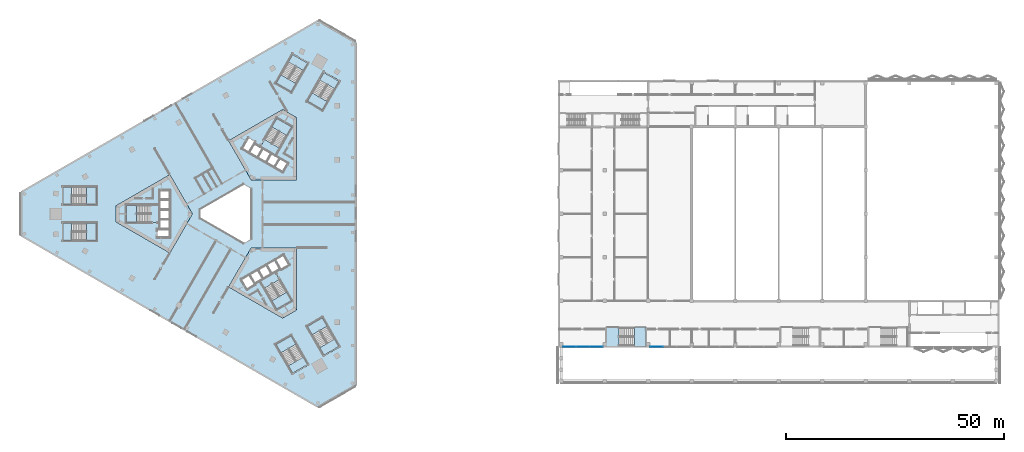
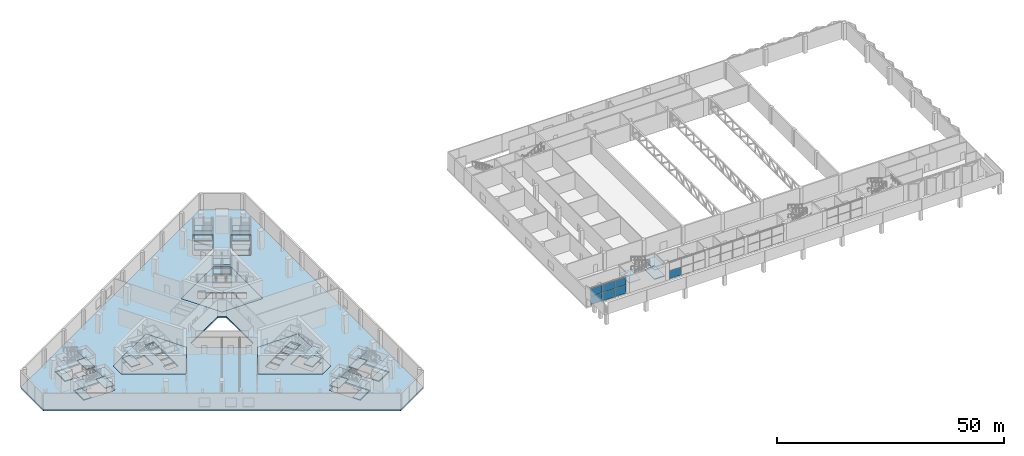
# One storey, part 8 of 36: 40 slabs, 7 plates, 12 elements without a shape of their own.
"""IFC4 building model written with IfcOpenShell, lengths in metres."""

from ifc_helpers import new_model, si_unit, direction, frame, origin, origin_2d, place, context, subcontext, project, spatial, polyline, rectangle, outline, extrude, material, layer, layer_set, type_object, element, aggregate, save


model = new_model("IFC4")

# Units and contexts
model_context = context("Model", 3, precision=1e-05, world=origin(), true_north=direction((0.0, 1.0)))
body_context = subcontext(model_context, "Body", "Model", "MODEL_VIEW")
ifc_project = project(units=[si_unit("LENGTHUNIT", "METRE"), si_unit("AREAUNIT", "SQUARE_METRE"), si_unit("VOLUMEUNIT", "CUBIC_METRE"), si_unit("PLANEANGLEUNIT", "RADIAN"), si_unit("MASSUNIT", "GRAM", prefix="KILO")], contexts=[model_context])

# Site, building, storey
site_placement = place(None, origin())
site = spatial("IfcSite", under=ifc_project, at=site_placement, CompositionType="ELEMENT")
building_placement = place(site_placement, origin())
building = spatial("IfcBuilding", under=site, at=building_placement, Name="Jabali Bay Hotel Tower and Convention Centre", CompositionType="ELEMENT")
storey_placement = place(building_placement, frame((0.0, 0.0, 20.39990234375)))
storey = spatial("IfcBuildingStorey", under=building, at=storey_placement, Name="L03", CompositionType="ELEMENT", Elevation=20.39990234375)

# Curtain wall, plates
ifc_material_1 = material(Name="Aluminium 6063-T5 and glass", Category="aluminium")
curtain_wall_type = type_object("IfcCurtainWallType", Name="CC CW5 Unitised Curtain Wall", PredefinedType="NOTDEFINED", material=ifc_material_1)
curtain_wall_1_placement = place(storey_placement, origin())
curtain_wall_1 = element("IfcCurtainWall", 1, at=curtain_wall_1_placement, inside=storey, type_object=curtain_wall_type, Name="CC CW5 run 6", PredefinedType="NOTDEFINED")
ifc_material_2 = material(Name="Glass IGU 28", Category="glass")
ifc_layer_1 = layer(ifc_material_2, 0.028076171875)
ifc_layer_set_1 = layer_set([ifc_layer_1], Name="Glass IGU 28")
plate_type = type_object("IfcPlateType", Name="CC Curtain Wall Glass Panel 28", PredefinedType="CURTAIN_PANEL", material=ifc_layer_set_1)
plate_1_placement = place(storey_placement, frame((152.6484375, 49.449951171875, 0.1201171875), z_axis=(0.0, 0.0, 1.0), x_axis=(1.0, 0.0, 0.0)))
plate_1 = element("IfcPlate", 2, at=plate_1_placement, type_object=plate_type, Name="CC-CW5 panel 1.1", PredefinedType="CURTAIN_PANEL", context=body_context, shape_type="SweptSolid", body=[
    extrude(rectangle(XDim=2.9765625, YDim=0.028076171875, at=origin_2d()), origin(), (0.0, 0.0, 1.0), 2.1201171875),
])
plate_2_placement = place(storey_placement, frame((152.6484375, 49.449951171875, 2.35986328125), z_axis=(0.0, 0.0, 1.0), x_axis=(1.0, 0.0, 0.0)))
plate_2 = element("IfcPlate", 3, at=plate_2_placement, type_object=plate_type, Name="CC-CW5 panel 1.2", PredefinedType="CURTAIN_PANEL", context=body_context, shape_type="SweptSolid", body=[
    extrude(rectangle(XDim=2.9765625, YDim=0.028076171875, at=origin_2d()), origin(), (0.0, 0.0, 1.0), 2.110107421875),
])
plate_3_placement = place(storey_placement, frame((155.699951171875, 49.449951171875, 0.1201171875), z_axis=(0.0, 0.0, 1.0), x_axis=(1.0, 0.0, 0.0)))
plate_3 = element("IfcPlate", 4, at=plate_3_placement, type_object=plate_type, Name="CC-CW5 panel 2.1", PredefinedType="CURTAIN_PANEL", context=body_context, shape_type="SweptSolid", body=[
    extrude(rectangle(XDim=3.006591796875, YDim=0.028076171875, at=origin_2d()), origin(), (0.0, 0.0, 1.0), 2.1201171875),
])
plate_4_placement = place(storey_placement, frame((155.699951171875, 49.449951171875, 2.35986328125), z_axis=(0.0, 0.0, 1.0), x_axis=(1.0, 0.0, 0.0)))
plate_4 = element("IfcPlate", 5, at=plate_4_placement, type_object=plate_type, Name="CC-CW5 panel 2.2", PredefinedType="CURTAIN_PANEL", context=body_context, shape_type="SweptSolid", body=[
    extrude(rectangle(XDim=3.006591796875, YDim=0.028076171875, at=origin_2d()), origin(), (0.0, 0.0, 1.0), 2.110107421875),
])
plate_5_placement = place(storey_placement, frame((158.751708984375, 49.449951171875, 0.1201171875), z_axis=(0.0, 0.0, 1.0), x_axis=(1.0, 0.0, 0.0)))
plate_5 = element("IfcPlate", 6, at=plate_5_placement, type_object=plate_type, Name="CC-CW5 panel 3.1", PredefinedType="CURTAIN_PANEL", context=body_context, shape_type="SweptSolid", body=[
    extrude(rectangle(XDim=2.9765625, YDim=0.028076171875, at=origin_2d()), origin(), (0.0, 0.0, 1.0), 2.1201171875),
])
plate_6_placement = place(storey_placement, frame((158.751708984375, 49.449951171875, 2.35986328125), z_axis=(0.0, 0.0, 1.0), x_axis=(1.0, 0.0, 0.0)))
plate_6 = element("IfcPlate", 7, at=plate_6_placement, type_object=plate_type, Name="CC-CW5 panel 3.2", PredefinedType="CURTAIN_PANEL", context=body_context, shape_type="SweptSolid", body=[
    extrude(rectangle(XDim=2.9765625, YDim=0.028076171875, at=origin_2d()), origin(), (0.0, 0.0, 1.0), 2.110107421875),
])
aggregate(curtain_wall_1, [plate_1, plate_2, plate_3, plate_4, plate_5, plate_6])

# Curtain wall, plate
curtain_wall_2_placement = place(storey_placement, origin())
curtain_wall_2 = element("IfcCurtainWall", 8, at=curtain_wall_2_placement, inside=storey, type_object=curtain_wall_type, Name="CC CW5 run 7", PredefinedType="NOTDEFINED")
plate_7_placement = place(storey_placement, frame((172.6484375, 49.449951171875, 0.1201171875), z_axis=(0.0, 0.0, 1.0), x_axis=(1.0, 0.0, 0.0)))
plate_7 = element("IfcPlate", 9, at=plate_7_placement, type_object=plate_type, Name="CC-CW5 panel 1.1", PredefinedType="CURTAIN_PANEL", context=body_context, shape_type="SweptSolid", body=[
    extrude(rectangle(XDim=2.9765625, YDim=0.028076171875, at=origin_2d()), origin(), (0.0, 0.0, 1.0), 2.1201171875),
])
aggregate(curtain_wall_2, [plate_7])

# Stair, slabs
ifc_material_3 = material(Name="Concrete C40", Category="concrete")
stair_type_1 = type_object("IfcStairType", Name="CC Dogleg Stair 1350", PredefinedType="HALF_TURN_STAIR", material=ifc_material_3)
stair_1_placement = place(storey_placement, origin())
stair_1 = element("IfcStair", 10, at=stair_1_placement, inside=storey, type_object=stair_type_1, Name="L03 South Exit Stair 1", PredefinedType="HALF_TURN_STAIR")
ifc_layer_2 = layer(ifc_material_3, 0.199951171875)
ifc_layer_set_2 = layer_set([ifc_layer_2], Name="Concrete C40")
slab_type_1 = type_object("IfcSlabType", Name="CC Stair Landing 200", PredefinedType="LANDING", material=ifc_layer_set_2)
slab_1_placement = place(storey_placement, frame((0.0, 0.0, 1.050048828125)))
slab_1 = element("IfcSlab", 11, at=slab_1_placement, type_object=slab_type_1, Name="CC-STS1 landing 1", PredefinedType="LANDING", context=body_context, shape_type="SweptSolid", body=[
    extrude(outline(polyline([(167.51708984375, 49.550048828125), (170.14990234375, 49.550048828125), (170.14990234375, 53.949951171875), (167.51708984375, 53.949951171875), (167.51708984375, 49.550048828125)])), origin(), (0.0, 0.0, 1.0), 0.199951171875),
])
slab_2_placement = place(storey_placement, frame((0.0, 0.0, 2.300048828125)))
slab_2 = element("IfcSlab", 12, at=slab_2_placement, type_object=slab_type_1, Name="CC-STS1 landing 2", PredefinedType="LANDING", context=body_context, shape_type="SweptSolid", body=[
    extrude(outline(polyline([(161.050048828125, 49.550048828125), (164.0029296875, 49.550048828125), (164.0029296875, 53.949951171875), (161.050048828125, 53.949951171875), (161.050048828125, 49.550048828125)])), origin(), (0.0, 0.0, 1.0), 0.199951171875),
])
slab_3_placement = place(storey_placement, frame((0.0, 0.0, 3.550048828125)))
slab_3 = element("IfcSlab", 13, at=slab_3_placement, type_object=slab_type_1, Name="CC-STS1 landing 3", PredefinedType="LANDING", context=body_context, shape_type="SweptSolid", body=[
    extrude(outline(polyline([(167.51708984375, 49.550048828125), (170.14990234375, 49.550048828125), (170.14990234375, 53.949951171875), (167.51708984375, 53.949951171875), (167.51708984375, 49.550048828125)])), origin(), (0.0, 0.0, 1.0), 0.199951171875),
])
aggregate(stair_1, [slab_1, slab_2, slab_3])

# Slabs
ifc_layer_3 = layer(ifc_material_3, 0.39990234375)
ifc_layer_set_3 = layer_set([ifc_layer_3], Name="Concrete C40")
slab_type_2 = type_object("IfcSlabType", Name="Core floor slab 400", PredefinedType="FLOOR", material=ifc_layer_set_3)
slab_4_placement = place(storey_placement, frame((0.0, 0.0, -0.39990234375)))
element("IfcSlab", 14, at=slab_4_placement, inside=storey, type_object=slab_type_2, Name="Core floor slab 1 L03", PredefinedType="FLOOR", context=body_context, shape_type="SweptSolid", body=[
    extrude(outline(polyline([(66.0, 80.0), (60.81005859375, 88.9892578125), (48.39697265625, 81.82275390625), (48.39697265625, 78.17724609375), (60.81005859375, 71.0107421875), (66.0, 80.0)]), holes=[polyline([(60.800048828125, 74.64990234375), (60.800048828125, 76.35009765625), (57.949951171875, 76.35009765625), (57.949951171875, 74.64990234375), (60.800048828125, 74.64990234375)]), polyline([(58.52001953125, 76.550048828125), (60.800048828125, 76.550048828125), (60.800048828125, 78.60009765625), (58.52001953125, 78.60009765625), (58.52001953125, 76.550048828125)]), polyline([(58.52001953125, 78.800048828125), (60.800048828125, 78.800048828125), (60.800048828125, 80.85009765625), (58.52001953125, 80.85009765625), (58.52001953125, 78.800048828125)]), polyline([(56.409912109375, 81.97509765625), (50.820068359375, 81.97509765625), (50.820068359375, 78.02490234375), (56.409912109375, 78.02490234375), (56.409912109375, 81.97509765625)]), polyline([(58.52001953125, 81.050048828125), (60.800048828125, 81.050048828125), (60.800048828125, 83.10009765625), (58.52001953125, 83.10009765625), (58.52001953125, 81.050048828125)]), polyline([(58.52001953125, 83.300048828125), (60.800048828125, 83.300048828125), (60.800048828125, 85.35009765625), (58.52001953125, 85.35009765625), (58.52001953125, 83.300048828125)])]), origin(), (0.0, 0.0, 1.0), 0.39990234375),
])
slab_5_placement = place(storey_placement, frame((0.0, 0.0, -0.39990234375)))
element("IfcSlab", 15, at=slab_5_placement, inside=storey, type_object=slab_type_2, Name="Core floor slab 2 L03", PredefinedType="FLOOR", context=body_context, shape_type="SweptSolid", body=[
    extrude(outline(polyline([(79.5, 87.794189453125), (89.8798828125, 87.794189453125), (89.8798828125, 102.127685546875), (86.72314453125, 103.9501953125), (74.31005859375, 96.78369140625), (79.5, 87.794189453125)]), holes=[polyline([(84.957763671875, 90.6474609375), (86.733154296875, 89.62255859375), (87.873291015625, 91.59716796875), (86.097900390625, 92.6220703125), (84.957763671875, 90.6474609375)]), polyline([(84.1494140625, 93.7470703125), (83.00927734375, 91.7724609375), (84.78466796875, 90.74755859375), (85.924560546875, 92.72216796875), (84.1494140625, 93.7470703125)]), polyline([(82.20068359375, 94.8720703125), (81.060791015625, 92.8974609375), (82.836181640625, 91.87255859375), (83.97607421875, 93.84716796875), (82.20068359375, 94.8720703125)]), polyline([(79.1123046875, 94.0224609375), (80.887451171875, 92.99755859375), (82.027587890625, 94.97216796875), (80.252197265625, 95.9970703125), (79.1123046875, 94.0224609375)]), polyline([(78.891845703125, 97.440673828125), (77.466796875, 94.97265625), (78.93896484375, 94.12255859375), (80.364013671875, 96.5908203125), (78.891845703125, 97.440673828125)]), polyline([(82.584716796875, 97.0869140625), (86.00537109375, 95.11181640625), (88.80029296875, 99.952880859375), (85.379638671875, 101.927978515625), (82.584716796875, 97.0869140625)])]), origin(), (0.0, 0.0, 1.0), 0.39990234375),
])
slab_6_placement = place(storey_placement, frame((0.0, 0.0, -0.39990234375)))
element("IfcSlab", 16, at=slab_6_placement, inside=storey, type_object=slab_type_2, Name="Core floor slab 3 L03", PredefinedType="FLOOR", context=body_context, shape_type="SweptSolid", body=[
    extrude(outline(polyline([(79.5, 72.205810546875), (74.31005859375, 63.21630859375), (86.72314453125, 56.0498046875), (89.8798828125, 57.872314453125), (89.8798828125, 72.205810546875), (79.5, 72.205810546875)]), holes=[polyline([(82.584716796875, 62.9130859375), (85.379638671875, 58.072021484375), (88.80029296875, 60.047119140625), (86.00537109375, 64.88818359375), (82.584716796875, 62.9130859375)]), polyline([(80.365478515625, 63.756591796875), (79.090576171875, 65.96484375), (77.27197265625, 64.9150390625), (78.546875, 62.70654296875), (80.365478515625, 63.756591796875)]), polyline([(82.17919921875, 65.115478515625), (81.0390625, 67.08984375), (79.263671875, 66.06494140625), (80.40380859375, 64.09033203125), (82.17919921875, 65.115478515625)]), polyline([(82.98779296875, 68.21484375), (81.21240234375, 67.18994140625), (82.352294921875, 65.21533203125), (84.127685546875, 66.240478515625), (82.98779296875, 68.21484375)]), polyline([(86.076171875, 67.365478515625), (84.936279296875, 69.33984375), (83.160888671875, 68.31494140625), (84.30078125, 66.34033203125), (86.076171875, 67.365478515625)]), polyline([(88.203125, 68.281494140625), (86.927978515625, 70.489990234375), (85.109375, 69.43994140625), (86.384521484375, 67.231689453125), (88.203125, 68.281494140625)])]), origin(), (0.0, 0.0, 1.0), 0.39990234375),
])
slab_7_placement = place(storey_placement, frame((0.0, 0.0, -0.39990234375)))
element("IfcSlab", 17, at=slab_7_placement, inside=storey, type_object=slab_type_2, Name="Podium stair landing slab 1 L03", PredefinedType="FLOOR", context=body_context, shape_type="SweptSolid", body=[
    extrude(outline(polyline([(36.300048828125, 73.85009765625), (38.2529296875, 73.85009765625), (38.2529296875, 77.85009765625), (36.300048828125, 77.85009765625), (36.300048828125, 73.85009765625)])), origin(), (0.0, 0.0, 1.0), 0.39990234375),
])
slab_8_placement = place(storey_placement, frame((0.0, 0.0, -0.39990234375)))
element("IfcSlab", 18, at=slab_8_placement, inside=storey, type_object=slab_type_2, Name="Podium stair landing slab 2 L03", PredefinedType="FLOOR", context=body_context, shape_type="SweptSolid", body=[
    extrude(outline(polyline([(36.300048828125, 82.14990234375), (38.2529296875, 82.14990234375), (38.2529296875, 86.14990234375), (36.300048828125, 86.14990234375), (36.300048828125, 82.14990234375)])), origin(), (0.0, 0.0, 1.0), 0.39990234375),
])
slab_9_placement = place(storey_placement, frame((0.0, 0.0, -0.39990234375)))
element("IfcSlab", 19, at=slab_9_placement, inside=storey, type_object=slab_type_2, Name="Podium stair landing slab 3 L03", PredefinedType="FLOOR", context=body_context, shape_type="SweptSolid", body=[
    extrude(outline(polyline([(89.02392578125, 116.590087890625), (88.04736328125, 114.89892578125), (91.511474609375, 112.89892578125), (92.488037109375, 114.590087890625), (89.02392578125, 116.590087890625)])), origin(), (0.0, 0.0, 1.0), 0.39990234375),
])
slab_10_placement = place(storey_placement, frame((0.0, 0.0, -0.39990234375)))
element("IfcSlab", 20, at=slab_10_placement, inside=storey, type_object=slab_type_2, Name="Podium stair landing slab 4 L03", PredefinedType="FLOOR", context=body_context, shape_type="SweptSolid", body=[
    extrude(outline(polyline([(96.2119140625, 112.440185546875), (95.2353515625, 110.748779296875), (98.699462890625, 108.748779296875), (99.676025390625, 110.440185546875), (96.2119140625, 112.440185546875)])), origin(), (0.0, 0.0, 1.0), 0.39990234375),
])
slab_11_placement = place(storey_placement, frame((0.0, 0.0, -0.39990234375)))
element("IfcSlab", 21, at=slab_11_placement, inside=storey, type_object=slab_type_2, Name="Podium stair landing slab 5 L03", PredefinedType="FLOOR", context=body_context, shape_type="SweptSolid", body=[
    extrude(outline(polyline([(99.676025390625, 49.559814453125), (98.699462890625, 51.251220703125), (95.2353515625, 49.251220703125), (96.2119140625, 47.559814453125), (99.676025390625, 49.559814453125)])), origin(), (0.0, 0.0, 1.0), 0.39990234375),
])
slab_12_placement = place(storey_placement, frame((0.0, 0.0, -0.39990234375)))
element("IfcSlab", 22, at=slab_12_placement, inside=storey, type_object=slab_type_2, Name="Podium stair landing slab 6 L03", PredefinedType="FLOOR", context=body_context, shape_type="SweptSolid", body=[
    extrude(outline(polyline([(92.488037109375, 45.409912109375), (91.511474609375, 47.10107421875), (88.04736328125, 45.10107421875), (89.02392578125, 43.409912109375), (92.488037109375, 45.409912109375)])), origin(), (0.0, 0.0, 1.0), 0.39990234375),
])
ifc_layer_4 = layer(ifc_material_3, 0.39990234375)
ifc_layer_set_4 = layer_set([ifc_layer_4], Name="Concrete C40")
slab_type_3 = type_object("IfcSlabType", Name="Post-tensioned flat slab 400", PredefinedType="FLOOR", material=ifc_layer_set_4)
slab_13_placement = place(storey_placement, frame((0.0, 0.0, -0.39990234375)))
element("IfcSlab", 23, at=slab_13_placement, inside=storey, type_object=slab_type_3, Name="Floor slab L03", PredefinedType="FLOOR", context=body_context, shape_type="SweptSolid", body=[
    extrude(outline(polyline([(94.83984375, 124.363525390625), (103.5, 119.363525390625), (103.5, 40.636474609375), (94.83984375, 35.636474609375), (26.66015625, 75.0), (26.66015625, 85.0), (94.83984375, 124.363525390625)]), holes=[polyline([(67.73193359375, 79.0), (77.76806640625, 73.205810546875), (79.5, 74.205810546875), (79.5, 85.794189453125), (77.76806640625, 86.794189453125), (67.73193359375, 81.0), (67.73193359375, 79.0)]), polyline([(60.81005859375, 71.0107421875), (66.0, 80.0), (60.81005859375, 88.9892578125), (48.39697265625, 81.82275390625), (48.39697265625, 78.17724609375), (60.81005859375, 71.0107421875)]), polyline([(86.72314453125, 103.9501953125), (74.31005859375, 96.78369140625), (79.5, 87.794189453125), (89.8798828125, 87.794189453125), (89.8798828125, 102.127685546875), (86.72314453125, 103.9501953125)]), polyline([(86.72314453125, 56.0498046875), (89.8798828125, 57.872314453125), (89.8798828125, 72.205810546875), (79.5, 72.205810546875), (74.31005859375, 63.21630859375), (86.72314453125, 56.0498046875)]), polyline([(44.10009765625, 73.64990234375), (44.10009765625, 78.050048828125), (36.10009765625, 78.050048828125), (36.10009765625, 73.64990234375), (44.10009765625, 73.64990234375)]), polyline([(36.10009765625, 81.949951171875), (44.10009765625, 81.949951171875), (44.10009765625, 86.35009765625), (36.10009765625, 86.35009765625), (36.10009765625, 81.949951171875)]), polyline([(92.76123046875, 114.663330078125), (88.95068359375, 116.86328125), (84.95068359375, 109.935302734375), (88.76123046875, 107.735107421875), (92.76123046875, 114.663330078125)]), polyline([(95.94921875, 103.585205078125), (99.94921875, 110.513427734375), (96.138671875, 112.71337890625), (92.138671875, 105.78515625), (95.94921875, 103.585205078125)]), polyline([(95.94921875, 56.414794921875), (92.138671875, 54.21484375), (96.138671875, 47.28662109375), (99.94921875, 49.486572265625), (95.94921875, 56.414794921875)]), polyline([(92.76123046875, 45.336669921875), (88.76123046875, 52.264892578125), (84.95068359375, 50.064697265625), (88.95068359375, 43.13671875), (92.76123046875, 45.336669921875)])]), origin(), (0.0, 0.0, 1.0), 0.39990234375),
])

# Stair, slabs
stair_type_2 = type_object("IfcStairType", Name="Exit stair 1900", PredefinedType="HALF_TURN_STAIR", material=ifc_material_3)
stair_2_placement = place(storey_placement, origin())
stair_2 = element("IfcStair", 24, at=stair_2_placement, inside=storey, type_object=stair_type_2, Name="L03 Exit Stair 1", PredefinedType="HALF_TURN_STAIR")
ifc_layer_5 = layer(ifc_material_3, 0.199951171875)
ifc_layer_set_5 = layer_set([ifc_layer_5], Name="Concrete C40")
slab_type_4 = type_object("IfcSlabType", Name="Stair landing 200", PredefinedType="LANDING", material=ifc_layer_set_5)
slab_14_placement = place(storey_placement, frame((0.0, 0.0, 1.050048828125)))
slab_14 = element("IfcSlab", 25, at=slab_14_placement, type_object=slab_type_4, Name="ST1 landing 1", PredefinedType="LANDING", context=body_context, shape_type="SweptSolid", body=[
    extrude(outline(polyline([(53.093017578125, 81.97509765625), (50.820068359375, 81.97509765625), (50.820068359375, 78.02490234375), (53.093017578125, 78.02490234375), (53.093017578125, 81.97509765625)])), origin(), (0.0, 0.0, 1.0), 0.199951171875),
])
slab_15_placement = place(storey_placement, frame((0.0, 0.0, 2.300048828125)))
slab_15 = element("IfcSlab", 26, at=slab_15_placement, type_object=slab_type_4, Name="ST1 landing 2", PredefinedType="LANDING", context=body_context, shape_type="SweptSolid", body=[
    extrude(outline(polyline([(58.320068359375, 81.97509765625), (56.4169921875, 81.97509765625), (56.4169921875, 78.02490234375), (58.320068359375, 78.02490234375), (58.320068359375, 81.97509765625)])), origin(), (0.0, 0.0, 1.0), 0.199951171875),
])
slab_16_placement = place(storey_placement, frame((0.0, 0.0, 3.550048828125)))
slab_16 = element("IfcSlab", 27, at=slab_16_placement, type_object=slab_type_4, Name="ST1 landing 3", PredefinedType="LANDING", context=body_context, shape_type="SweptSolid", body=[
    extrude(outline(polyline([(53.093017578125, 81.97509765625), (50.820068359375, 81.97509765625), (50.820068359375, 78.02490234375), (53.093017578125, 78.02490234375), (53.093017578125, 81.97509765625)])), origin(), (0.0, 0.0, 1.0), 0.199951171875),
])
aggregate(stair_2, [slab_14, slab_15, slab_16])

stair_3_placement = place(storey_placement, origin())
stair_3 = element("IfcStair", 28, at=stair_3_placement, inside=storey, type_object=stair_type_2, Name="L03 Exit Stair 2", PredefinedType="HALF_TURN_STAIR")
slab_17_placement = place(storey_placement, frame((0.0, 0.0, 1.050048828125)))
slab_17 = element("IfcSlab", 29, at=slab_17_placement, type_object=slab_type_4, Name="ST2 landing 1", PredefinedType="LANDING", context=body_context, shape_type="SweptSolid", body=[
    extrude(outline(polyline([(87.663818359375, 97.984619140625), (88.80029296875, 99.952880859375), (85.379638671875, 101.927978515625), (84.2431640625, 99.95947265625), (87.663818359375, 97.984619140625)])), origin(), (0.0, 0.0, 1.0), 0.199951171875),
])
slab_18_placement = place(storey_placement, frame((0.0, 0.0, 2.300048828125)))
slab_18 = element("IfcSlab", 30, at=slab_18_placement, type_object=slab_type_4, Name="ST2 landing 2", PredefinedType="LANDING", context=body_context, shape_type="SweptSolid", body=[
    extrude(outline(polyline([(85.05029296875, 93.457763671875), (86.001953125, 95.10595703125), (82.5810546875, 97.080810546875), (81.629638671875, 95.432861328125), (85.05029296875, 93.457763671875)])), origin(), (0.0, 0.0, 1.0), 0.199951171875),
])
slab_19_placement = place(storey_placement, frame((0.0, 0.0, 3.550048828125)))
slab_19 = element("IfcSlab", 31, at=slab_19_placement, type_object=slab_type_4, Name="ST2 landing 3", PredefinedType="LANDING", context=body_context, shape_type="SweptSolid", body=[
    extrude(outline(polyline([(87.663818359375, 97.984619140625), (88.80029296875, 99.952880859375), (85.379638671875, 101.927978515625), (84.2431640625, 99.95947265625), (87.663818359375, 97.984619140625)])), origin(), (0.0, 0.0, 1.0), 0.199951171875),
])
aggregate(stair_3, [slab_17, slab_18, slab_19])

stair_4_placement = place(storey_placement, origin())
stair_4 = element("IfcStair", 32, at=stair_4_placement, inside=storey, type_object=stair_type_2, Name="L03 Exit Stair 3", PredefinedType="HALF_TURN_STAIR")
slab_20_placement = place(storey_placement, frame((0.0, 0.0, 1.050048828125)))
slab_20 = element("IfcSlab", 33, at=slab_20_placement, type_object=slab_type_4, Name="ST3 landing 1", PredefinedType="LANDING", context=body_context, shape_type="SweptSolid", body=[
    extrude(outline(polyline([(84.2431640625, 60.04052734375), (85.379638671875, 58.072021484375), (88.80029296875, 60.047119140625), (87.663818359375, 62.015380859375), (84.2431640625, 60.04052734375)])), origin(), (0.0, 0.0, 1.0), 0.199951171875),
])
slab_21_placement = place(storey_placement, frame((0.0, 0.0, 2.300048828125)))
slab_21 = element("IfcSlab", 34, at=slab_21_placement, type_object=slab_type_4, Name="ST3 landing 2", PredefinedType="LANDING", context=body_context, shape_type="SweptSolid", body=[
    extrude(outline(polyline([(81.629638671875, 64.567138671875), (82.5810546875, 62.919189453125), (86.001953125, 64.89404296875), (85.05029296875, 66.542236328125), (81.629638671875, 64.567138671875)])), origin(), (0.0, 0.0, 1.0), 0.199951171875),
])
slab_22_placement = place(storey_placement, frame((0.0, 0.0, 3.550048828125)))
slab_22 = element("IfcSlab", 35, at=slab_22_placement, type_object=slab_type_4, Name="ST3 landing 3", PredefinedType="LANDING", context=body_context, shape_type="SweptSolid", body=[
    extrude(outline(polyline([(84.2431640625, 60.04052734375), (85.379638671875, 58.072021484375), (88.80029296875, 60.047119140625), (87.663818359375, 62.015380859375), (84.2431640625, 60.04052734375)])), origin(), (0.0, 0.0, 1.0), 0.199951171875),
])
aggregate(stair_4, [slab_20, slab_21, slab_22])

stair_type_3 = type_object("IfcStairType", Name="Podium stair 1950", PredefinedType="HALF_TURN_STAIR", material=ifc_material_3)
stair_5_placement = place(storey_placement, origin())
stair_5 = element("IfcStair", 36, at=stair_5_placement, inside=storey, type_object=stair_type_3, Name="L03 Podium Exit Stair 1", PredefinedType="HALF_TURN_STAIR")
slab_23_placement = place(storey_placement, frame((0.0, 0.0, 1.050048828125)))
slab_23 = element("IfcSlab", 37, at=slab_23_placement, type_object=slab_type_4, Name="PS1 landing 1", PredefinedType="LANDING", context=body_context, shape_type="SweptSolid", body=[
    extrude(outline(polyline([(41.6669921875, 73.85009765625), (43.89990234375, 73.85009765625), (43.89990234375, 77.85009765625), (41.6669921875, 77.85009765625), (41.6669921875, 73.85009765625)])), origin(), (0.0, 0.0, 1.0), 0.199951171875),
])
slab_24_placement = place(storey_placement, frame((0.0, 0.0, 2.300048828125)))
slab_24 = element("IfcSlab", 38, at=slab_24_placement, type_object=slab_type_4, Name="PS1 landing 2", PredefinedType="LANDING", context=body_context, shape_type="SweptSolid", body=[
    extrude(outline(polyline([(36.300048828125, 73.85009765625), (38.2529296875, 73.85009765625), (38.2529296875, 77.85009765625), (36.300048828125, 77.85009765625), (36.300048828125, 73.85009765625)])), origin(), (0.0, 0.0, 1.0), 0.199951171875),
])
slab_25_placement = place(storey_placement, frame((0.0, 0.0, 3.550048828125)))
slab_25 = element("IfcSlab", 39, at=slab_25_placement, type_object=slab_type_4, Name="PS1 landing 3", PredefinedType="LANDING", context=body_context, shape_type="SweptSolid", body=[
    extrude(outline(polyline([(41.6669921875, 73.85009765625), (43.89990234375, 73.85009765625), (43.89990234375, 77.85009765625), (41.6669921875, 77.85009765625), (41.6669921875, 73.85009765625)])), origin(), (0.0, 0.0, 1.0), 0.199951171875),
])
aggregate(stair_5, [slab_23, slab_24, slab_25])

stair_6_placement = place(storey_placement, origin())
stair_6 = element("IfcStair", 40, at=stair_6_placement, inside=storey, type_object=stair_type_3, Name="L03 Podium Exit Stair 2", PredefinedType="HALF_TURN_STAIR")
slab_26_placement = place(storey_placement, frame((0.0, 0.0, 1.050048828125)))
slab_26 = element("IfcSlab", 41, at=slab_26_placement, type_object=slab_type_4, Name="PS2 landing 1", PredefinedType="LANDING", context=body_context, shape_type="SweptSolid", body=[
    extrude(outline(polyline([(41.6669921875, 82.14990234375), (43.89990234375, 82.14990234375), (43.89990234375, 86.14990234375), (41.6669921875, 86.14990234375), (41.6669921875, 82.14990234375)])), origin(), (0.0, 0.0, 1.0), 0.199951171875),
])
slab_27_placement = place(storey_placement, frame((0.0, 0.0, 2.300048828125)))
slab_27 = element("IfcSlab", 42, at=slab_27_placement, type_object=slab_type_4, Name="PS2 landing 2", PredefinedType="LANDING", context=body_context, shape_type="SweptSolid", body=[
    extrude(outline(polyline([(36.300048828125, 82.14990234375), (38.2529296875, 82.14990234375), (38.2529296875, 86.14990234375), (36.300048828125, 86.14990234375), (36.300048828125, 82.14990234375)])), origin(), (0.0, 0.0, 1.0), 0.199951171875),
])
slab_28_placement = place(storey_placement, frame((0.0, 0.0, 3.550048828125)))
slab_28 = element("IfcSlab", 43, at=slab_28_placement, type_object=slab_type_4, Name="PS2 landing 3", PredefinedType="LANDING", context=body_context, shape_type="SweptSolid", body=[
    extrude(outline(polyline([(41.6669921875, 82.14990234375), (43.89990234375, 82.14990234375), (43.89990234375, 86.14990234375), (41.6669921875, 86.14990234375), (41.6669921875, 82.14990234375)])), origin(), (0.0, 0.0, 1.0), 0.199951171875),
])
aggregate(stair_6, [slab_26, slab_27, slab_28])

stair_7_placement = place(storey_placement, origin())
stair_7 = element("IfcStair", 44, at=stair_7_placement, inside=storey, type_object=stair_type_3, Name="L03 Podium Exit Stair 3", PredefinedType="HALF_TURN_STAIR")
slab_29_placement = place(storey_placement, frame((0.0, 0.0, 1.050048828125)))
slab_29 = element("IfcSlab", 45, at=slab_29_placement, type_object=slab_type_4, Name="PS3 landing 1", PredefinedType="LANDING", context=body_context, shape_type="SweptSolid", body=[
    extrude(outline(polyline([(86.34033203125, 111.942138671875), (85.223876953125, 110.00830078125), (88.68798828125, 108.00830078125), (89.804443359375, 109.942138671875), (86.34033203125, 111.942138671875)])), origin(), (0.0, 0.0, 1.0), 0.199951171875),
])
slab_30_placement = place(storey_placement, frame((0.0, 0.0, 2.300048828125)))
slab_30 = element("IfcSlab", 46, at=slab_30_placement, type_object=slab_type_4, Name="PS3 landing 2", PredefinedType="LANDING", context=body_context, shape_type="SweptSolid", body=[
    extrude(outline(polyline([(89.02392578125, 116.590087890625), (88.04736328125, 114.89892578125), (91.511474609375, 112.89892578125), (92.488037109375, 114.590087890625), (89.02392578125, 116.590087890625)])), origin(), (0.0, 0.0, 1.0), 0.199951171875),
])
slab_31_placement = place(storey_placement, frame((0.0, 0.0, 3.550048828125)))
slab_31 = element("IfcSlab", 47, at=slab_31_placement, type_object=slab_type_4, Name="PS3 landing 3", PredefinedType="LANDING", context=body_context, shape_type="SweptSolid", body=[
    extrude(outline(polyline([(86.34033203125, 111.942138671875), (85.223876953125, 110.00830078125), (88.68798828125, 108.00830078125), (89.804443359375, 109.942138671875), (86.34033203125, 111.942138671875)])), origin(), (0.0, 0.0, 1.0), 0.199951171875),
])
aggregate(stair_7, [slab_29, slab_30, slab_31])

stair_8_placement = place(storey_placement, origin())
stair_8 = element("IfcStair", 48, at=stair_8_placement, inside=storey, type_object=stair_type_3, Name="L03 Podium Exit Stair 4", PredefinedType="HALF_TURN_STAIR")
slab_32_placement = place(storey_placement, frame((0.0, 0.0, 1.050048828125)))
slab_32 = element("IfcSlab", 49, at=slab_32_placement, type_object=slab_type_4, Name="PS4 landing 1", PredefinedType="LANDING", context=body_context, shape_type="SweptSolid", body=[
    extrude(outline(polyline([(93.528564453125, 107.792236328125), (92.411865234375, 105.8583984375), (95.8759765625, 103.8583984375), (96.99267578125, 105.792236328125), (93.528564453125, 107.792236328125)])), origin(), (0.0, 0.0, 1.0), 0.199951171875),
])
slab_33_placement = place(storey_placement, frame((0.0, 0.0, 2.300048828125)))
slab_33 = element("IfcSlab", 50, at=slab_33_placement, type_object=slab_type_4, Name="PS4 landing 2", PredefinedType="LANDING", context=body_context, shape_type="SweptSolid", body=[
    extrude(outline(polyline([(96.2119140625, 112.440185546875), (95.2353515625, 110.748779296875), (98.699462890625, 108.748779296875), (99.676025390625, 110.440185546875), (96.2119140625, 112.440185546875)])), origin(), (0.0, 0.0, 1.0), 0.199951171875),
])
slab_34_placement = place(storey_placement, frame((0.0, 0.0, 3.550048828125)))
slab_34 = element("IfcSlab", 51, at=slab_34_placement, type_object=slab_type_4, Name="PS4 landing 3", PredefinedType="LANDING", context=body_context, shape_type="SweptSolid", body=[
    extrude(outline(polyline([(93.528564453125, 107.792236328125), (92.411865234375, 105.8583984375), (95.8759765625, 103.8583984375), (96.99267578125, 105.792236328125), (93.528564453125, 107.792236328125)])), origin(), (0.0, 0.0, 1.0), 0.199951171875),
])
aggregate(stair_8, [slab_32, slab_33, slab_34])

stair_9_placement = place(storey_placement, origin())
stair_9 = element("IfcStair", 52, at=stair_9_placement, inside=storey, type_object=stair_type_3, Name="L03 Podium Exit Stair 5", PredefinedType="HALF_TURN_STAIR")
slab_35_placement = place(storey_placement, frame((0.0, 0.0, 1.050048828125)))
slab_35 = element("IfcSlab", 53, at=slab_35_placement, type_object=slab_type_4, Name="PS5 landing 1", PredefinedType="LANDING", context=body_context, shape_type="SweptSolid", body=[
    extrude(outline(polyline([(96.99267578125, 54.207763671875), (95.8759765625, 56.1416015625), (92.411865234375, 54.1416015625), (93.528564453125, 52.207763671875), (96.99267578125, 54.207763671875)])), origin(), (0.0, 0.0, 1.0), 0.199951171875),
])
slab_36_placement = place(storey_placement, frame((0.0, 0.0, 2.300048828125)))
slab_36 = element("IfcSlab", 54, at=slab_36_placement, type_object=slab_type_4, Name="PS5 landing 2", PredefinedType="LANDING", context=body_context, shape_type="SweptSolid", body=[
    extrude(outline(polyline([(99.676025390625, 49.559814453125), (98.699462890625, 51.251220703125), (95.2353515625, 49.251220703125), (96.2119140625, 47.559814453125), (99.676025390625, 49.559814453125)])), origin(), (0.0, 0.0, 1.0), 0.199951171875),
])
slab_37_placement = place(storey_placement, frame((0.0, 0.0, 3.550048828125)))
slab_37 = element("IfcSlab", 55, at=slab_37_placement, type_object=slab_type_4, Name="PS5 landing 3", PredefinedType="LANDING", context=body_context, shape_type="SweptSolid", body=[
    extrude(outline(polyline([(96.99267578125, 54.207763671875), (95.8759765625, 56.1416015625), (92.411865234375, 54.1416015625), (93.528564453125, 52.207763671875), (96.99267578125, 54.207763671875)])), origin(), (0.0, 0.0, 1.0), 0.199951171875),
])
aggregate(stair_9, [slab_35, slab_36, slab_37])

stair_10_placement = place(storey_placement, origin())
stair_10 = element("IfcStair", 56, at=stair_10_placement, inside=storey, type_object=stair_type_3, Name="L03 Podium Exit Stair 6", PredefinedType="HALF_TURN_STAIR")
slab_38_placement = place(storey_placement, frame((0.0, 0.0, 1.050048828125)))
slab_38 = element("IfcSlab", 57, at=slab_38_placement, type_object=slab_type_4, Name="PS6 landing 1", PredefinedType="LANDING", context=body_context, shape_type="SweptSolid", body=[
    extrude(outline(polyline([(89.804443359375, 50.057861328125), (88.68798828125, 51.99169921875), (85.223876953125, 49.99169921875), (86.34033203125, 48.057861328125), (89.804443359375, 50.057861328125)])), origin(), (0.0, 0.0, 1.0), 0.199951171875),
])
slab_39_placement = place(storey_placement, frame((0.0, 0.0, 2.300048828125)))
slab_39 = element("IfcSlab", 58, at=slab_39_placement, type_object=slab_type_4, Name="PS6 landing 2", PredefinedType="LANDING", context=body_context, shape_type="SweptSolid", body=[
    extrude(outline(polyline([(92.488037109375, 45.409912109375), (91.511474609375, 47.10107421875), (88.04736328125, 45.10107421875), (89.02392578125, 43.409912109375), (92.488037109375, 45.409912109375)])), origin(), (0.0, 0.0, 1.0), 0.199951171875),
])
slab_40_placement = place(storey_placement, frame((0.0, 0.0, 3.550048828125)))
slab_40 = element("IfcSlab", 59, at=slab_40_placement, type_object=slab_type_4, Name="PS6 landing 3", PredefinedType="LANDING", context=body_context, shape_type="SweptSolid", body=[
    extrude(outline(polyline([(89.804443359375, 50.057861328125), (88.68798828125, 51.99169921875), (85.223876953125, 49.99169921875), (86.34033203125, 48.057861328125), (89.804443359375, 50.057861328125)])), origin(), (0.0, 0.0, 1.0), 0.199951171875),
])
aggregate(stair_10, [slab_38, slab_39, slab_40])

save(model, "model.ifc")
